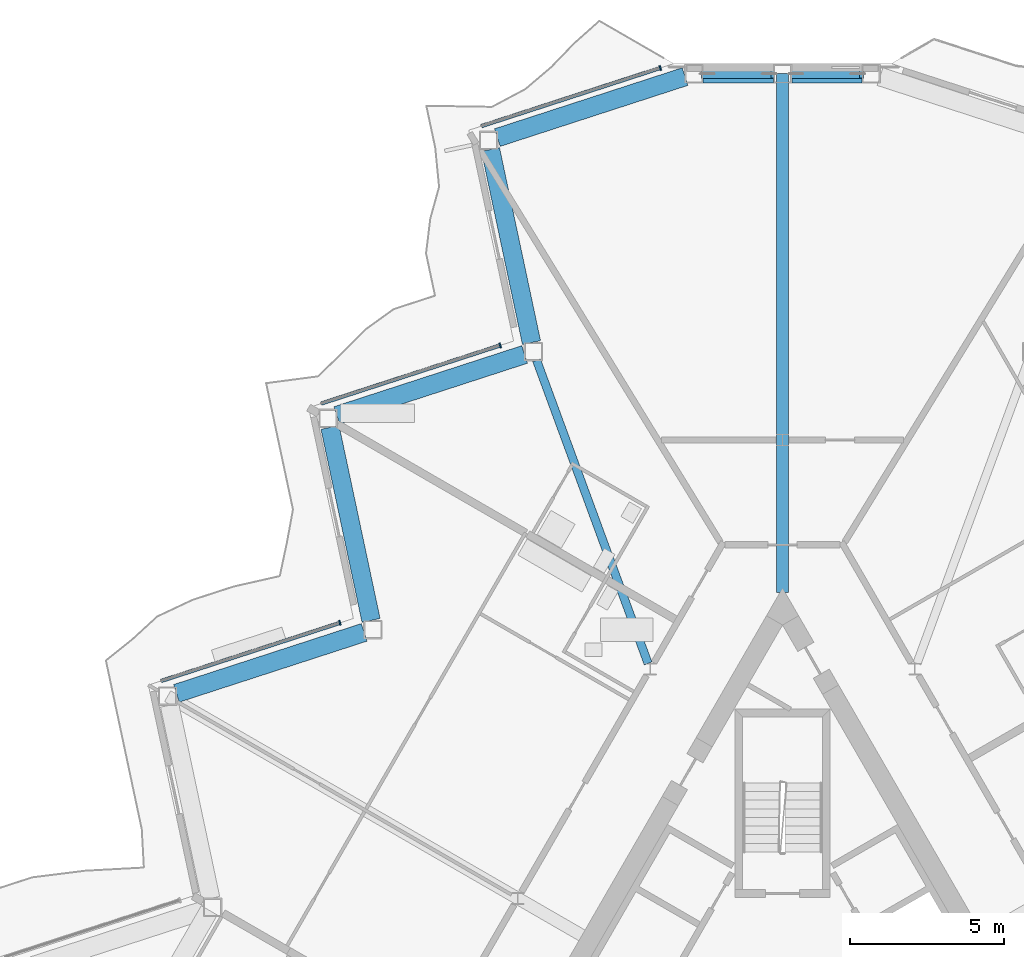
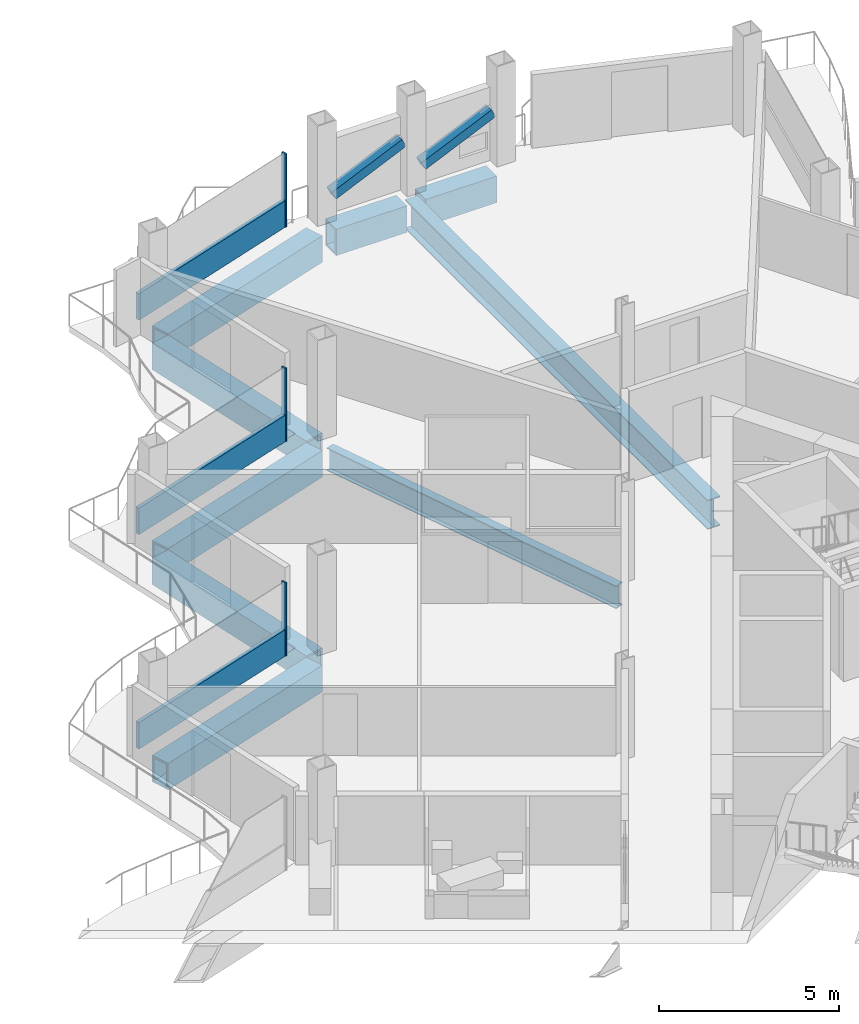
# One storey, part 10 of 28: 9 members, 8 beams, 3 elements without a shape of their own.
"""IFC4 building model written with IfcOpenShell, lengths in metres."""

from ifc_helpers import new_model, si_unit, direction, frame, origin, origin_2d, place, context, subcontext, project, spatial, rectangle, hollow_rectangle, i_section, extrude, material, layer, layer_set, material_profile, profile_set, type_object, element, aggregate, save


model = new_model("IFC4")

# Units and contexts
model_context = context("Model", 3, precision=1e-05, world=origin(), true_north=direction((0.0, 1.0)))
body_context = subcontext(model_context, "Body", "Model", "MODEL_VIEW")
ifc_project = project(units=[si_unit("LENGTHUNIT", "METRE"), si_unit("AREAUNIT", "SQUARE_METRE"), si_unit("VOLUMEUNIT", "CUBIC_METRE"), si_unit("PLANEANGLEUNIT", "RADIAN"), si_unit("MASSUNIT", "GRAM", prefix="KILO")], contexts=[model_context])

# Site, building, storey
site_placement = place(None, origin())
site = spatial("IfcSite", under=ifc_project, at=site_placement, CompositionType="ELEMENT")
building_placement = place(site_placement, origin())
building = spatial("IfcBuilding", under=site, at=building_placement, Name="Cormorant Prow Tower", CompositionType="ELEMENT")
storey_placement = place(building_placement, frame((0.0, 0.0, 301.800048828125)))
storey = spatial("IfcBuildingStorey", under=building, at=storey_placement, Name="L65", CompositionType="ELEMENT", Elevation=301.800048828125)

# Beams
ifc_material_1 = material(Name="Structural steel ASTM A572 Gr 50", Category="steel")
ifc_material_profile_1 = material_profile(ifc_material_1, hollow_rectangle(XDim=0.60009765625, YDim=0.89990234375, WallThickness=0.06005859375, at=origin_2d()), Name="Box 900x600x60")
ifc_profile_set_1 = profile_set([ifc_material_profile_1], Name="Structural steel ASTM A572 Gr 50")
beam_type_1 = type_object("IfcBeamType", Name="Belt truss top chord 900x600x60", PredefinedType="BEAM", material=ifc_profile_set_1)
for number, where, z_axis, x_axis, name in (
    (1, (2.57373046875, 31.676025390625, -0.75), (-1.0, 0.0, 0.0), (0.0, -1.0, 0.0), "Belt truss top chord TC2 N00-N01 L65"),
    (2, (-0.300048828125, 31.676025390625, -0.75), (-1.0, 0.0, 0.0), (0.0, -1.0, 0.0), "Belt truss top chord TC2 N01-WNW00 L65"),
):
    element("IfcBeam", number, at=place(storey_placement, frame(where, z_axis=z_axis, x_axis=x_axis)), inside=storey, type_object=beam_type_1, Name=name, PredefinedType="BEAM", context=body_context, shape_type="SweptSolid", body=[
        extrude(hollow_rectangle(XDim=0.60009765625, YDim=0.89990234375, WallThickness=0.06005859375, at=origin_2d()), origin(), (0.0, 0.0, 1.0), 2.273681640625),
    ])
beam_1_placement = place(storey_placement, frame((-3.1591796875, 31.583251953125, -0.75), z_axis=(-0.951064359156, -0.308992855489, 0.0), x_axis=(0.308992855489, -0.951064359156, 0.0)))
element("IfcBeam", 3, at=beam_1_placement, inside=storey, type_object=beam_type_1, Name="Belt truss top chord TC2 WNW00-WNW01 L65", PredefinedType="BEAM", context=body_context, shape_type="SweptSolid", body=[
    extrude(hollow_rectangle(XDim=0.60009765625, YDim=0.89990234375, WallThickness=0.06005859375, at=origin_2d()), origin(), (0.0, 0.0, 1.0), 6.39599609375),
])
beam_2_placement = place(storey_placement, frame((-9.465087890625, 29.220703125, -0.75), z_axis=(0.20791262393, -0.978147402394, 0.0), x_axis=(0.978147402394, 0.20791262393, 0.0)))
element("IfcBeam", 4, at=beam_2_placement, inside=storey, type_object=beam_type_1, Name="Belt truss top chord TC2 WNW01-WNW02 L65", PredefinedType="BEAM", context=body_context, shape_type="SweptSolid", body=[
    extrude(hollow_rectangle(XDim=0.60009765625, YDim=0.89990234375, WallThickness=0.06005859375, at=origin_2d()), origin(), (0.0, 0.0, 1.0), 6.396240234375),
])
for number, where, z_axis, x_axis, name in (
    (5, (-8.358154296875, 22.578369140625, -0.75), (-0.95105314132, -0.309027381286, 0.0), (0.309027381286, -0.95105314132, 0.0), "Belt truss top chord TC2 WNW02-WNW03 L65"),
    (6, (-14.6640625, 20.215576171875, -0.75), (0.207920386839, -0.978145752297, 0.0), (0.978145752297, 0.207920386839, 0.0), "Belt truss top chord TC2 WNW03-WNW04 L65"),
    (7, (-13.557373046875, 13.5732421875, -0.75), (-0.95105314132, -0.309027381286, 0.0), (0.309027381286, -0.95105314132, 0.0), "Belt truss top chord TC2 WNW04-WNW05 L65"),
):
    element("IfcBeam", number, at=place(storey_placement, frame(where, z_axis=z_axis, x_axis=x_axis)), inside=storey, type_object=beam_type_1, Name=name, PredefinedType="BEAM", context=body_context, shape_type="SweptSolid", body=[
        extrude(hollow_rectangle(XDim=0.60009765625, YDim=0.89990234375, WallThickness=0.06005859375, at=origin_2d()), origin(), (0.0, 0.0, 1.0), 6.39599609375),
    ])

# Members
ifc_material_2 = material(Name="Structural steel ASTM A500 Gr C", Category="steel")
ifc_material_profile_2 = material_profile(ifc_material_2, hollow_rectangle(XDim=0.3046875, YDim=0.3046875, WallThickness=0.01171875, at=origin_2d()), Name="HSS12x12x1/2")
ifc_profile_set_2 = profile_set([ifc_material_profile_2], Name="Structural steel ASTM A500 Gr C")
member_type_1 = type_object("IfcMemberType", Name="Chamfer brace HSS12x12x1/2", PredefinedType="BRACE", material=ifc_profile_set_2)
for number, where, z_axis, x_axis, name in (
    (8, (0.31494140625, 31.676025390625, 0.740966796875), (0.912529767993, 0.0, 0.409010296359), (0.0, 1.0, 0.0), "Chamfer brace BR3 at N00 L65"),
    (9, (-2.55908203125, 31.676025390625, 0.740966796875), (0.912529767993, 0.0, 0.409010296359), (0.0, 1.0, 0.0), "Chamfer brace BR3 at N01 L65"),
):
    element("IfcMember", number, at=place(storey_placement, frame(where, z_axis=z_axis, x_axis=x_axis)), inside=storey, type_object=member_type_1, Name=name, PredefinedType="BRACE", context=body_context, shape_type="SweptSolid", body=[
        extrude(hollow_rectangle(XDim=0.3046875, YDim=0.3046875, WallThickness=0.01171875, at=origin_2d()), origin(), (0.0, 0.0, 1.0), 2.459228515625),
    ])
ifc_material_3 = material(Name="Structural steel ASTM A992 Gr 50", Category="steel")
ifc_material_profile_3 = material_profile(ifc_material_3, i_section(OverallWidth=0.39990234375, OverallDepth=1.000244140625, WebThickness=0.01904296875, FlangeThickness=0.0361328125, at=origin_2d()), Name="W40x249")
ifc_profile_set_3 = profile_set([ifc_material_profile_3], Name="Structural steel ASTM A992 Gr 50")
member_type_2 = type_object("IfcMemberType", Name="Outrigger chord W40x249", PredefinedType="CHORD", material=ifc_profile_set_3)
member_1_placement = place(storey_placement, frame((0.0, 14.861083984375, -0.80029296875), z_axis=(0.0, 1.0, 0.0), x_axis=(-1.0, 0.0, 0.0)))
element("IfcMember", 10, at=member_1_placement, inside=storey, type_object=member_type_2, Name="Outrigger top chord 1 L65", PredefinedType="CHORD", context=body_context, shape_type="SweptSolid", body=[
    extrude(i_section(OverallWidth=0.39990234375, OverallDepth=1.000244140625, WebThickness=0.01904296875, FlangeThickness=0.0361328125, at=origin_2d()), origin(), (0.0, 0.0, 1.0), 16.81494140625),
])

# Beam
ifc_material_4 = material(Name="Structural steel ASTM A992 Gr 50", Category="steel")
ifc_material_profile_4 = material_profile(ifc_material_4, i_section(OverallWidth=0.267822265625, OverallDepth=0.77001953125, WebThickness=0.015625, FlangeThickness=0.025390625, at=origin_2d()), Name="W30x132")
ifc_profile_set_4 = profile_set([ifc_material_profile_4], Name="Structural steel ASTM A992 Gr 50")
beam_type_2 = type_object("IfcBeamType", Name="Radial floor beam W30x132", PredefinedType="BEAM", material=ifc_profile_set_4)
beam_3_placement = place(storey_placement, frame((-4.357421875, 12.5673828125, -0.68505859375), z_axis=(-0.345131226703, 0.938554439739, 0.0), x_axis=(-0.938554439739, -0.345131226703, 0.0)))
element("IfcBeam", 11, at=beam_3_placement, inside=storey, type_object=beam_type_2, Name="Radial floor beam FB3 2 L65", PredefinedType="BEAM", context=body_context, shape_type="SweptSolid", body=[
    extrude(i_section(OverallWidth=0.267822265625, OverallDepth=0.77001953125, WebThickness=0.015625, FlangeThickness=0.025390625, at=origin_2d()), origin(), (0.0, 0.0, 1.0), 10.465087890625),
])

# Curtain wall, member
ifc_material_5 = material(Name="Aluminium 6063-T6", Category="aluminium")
ifc_layer = layer(ifc_material_5, 0.159912109375)
ifc_layer_set = layer_set([ifc_layer], Name="Aluminium 6063-T6")
curtain_wall_type = type_object("IfcCurtainWallType", Name="Residential unitised curtain wall 160", PredefinedType="NOTDEFINED", material=ifc_layer_set)
curtain_wall_1_placement = place(storey_placement, origin())
curtain_wall_1 = element("IfcCurtainWall", 12, at=curtain_wall_1_placement, inside=storey, type_object=curtain_wall_type, Name="Residential curtain wall WNW00", PredefinedType="NOTDEFINED")
ifc_material_6 = material(Name="Aluminium 6063-T6", Category="aluminium")
ifc_material_profile_5 = material_profile(ifc_material_6, rectangle(XDim=0.159912109375, YDim=0.050048828125, at=origin_2d()), Name="Residential mullion 50x160")
ifc_profile_set_5 = profile_set([ifc_material_profile_5], Name="Aluminium 6063-T6")
member_type_3 = type_object("IfcMemberType", Name="Residential mullion 50x160", PredefinedType="MULLION", material=ifc_profile_set_5)
member_2_placement = place(storey_placement, frame((-3.961181640625, 31.863037109375, 0.0), z_axis=(0.0, 0.0, 1.0), x_axis=(0.309016910334, -0.951056543602, 0.0)))
member_2 = element("IfcMember", 13, at=member_2_placement, type_object=member_type_3, Name="Residential mullion WNW00", PredefinedType="MULLION", context=body_context, shape_type="SweptSolid", body=[
    extrude(rectangle(XDim=0.159912109375, YDim=0.050048828125, at=origin_2d()), origin(), (0.0, 0.0, 1.0), 2.48779296875),
])

curtain_wall_2_placement = place(storey_placement, origin())
curtain_wall_2 = element("IfcCurtainWall", 14, at=curtain_wall_2_placement, inside=storey, type_object=curtain_wall_type, Name="Residential curtain wall WNW02", PredefinedType="NOTDEFINED")
member_3_placement = place(storey_placement, frame((-9.152099609375, 22.8720703125, 0.0), z_axis=(0.0, 0.0, 1.0), x_axis=(0.309016910334, -0.951056543602, 0.0)))
member_3 = element("IfcMember", 15, at=member_3_placement, type_object=member_type_3, Name="Residential mullion WNW02", PredefinedType="MULLION", context=body_context, shape_type="SweptSolid", body=[
    extrude(rectangle(XDim=0.159912109375, YDim=0.050048828125, at=origin_2d()), origin(), (0.0, 0.0, 1.0), 2.48779296875),
])

curtain_wall_3_placement = place(storey_placement, origin())
curtain_wall_3 = element("IfcCurtainWall", 16, at=curtain_wall_3_placement, inside=storey, type_object=curtain_wall_type, Name="Residential curtain wall WNW04", PredefinedType="NOTDEFINED")
member_4_placement = place(storey_placement, frame((-14.34326171875, 13.881103515625, 0.0), z_axis=(0.0, 0.0, 1.0), x_axis=(0.309017039823, -0.951056501528, 0.0)))
member_4 = element("IfcMember", 17, at=member_4_placement, type_object=member_type_3, Name="Residential mullion WNW04", PredefinedType="MULLION", context=body_context, shape_type="SweptSolid", body=[
    extrude(rectangle(XDim=0.159912109375, YDim=0.050048828125, at=origin_2d()), origin(), (0.0, 0.0, 1.0), 2.48779296875),
])

# Member
ifc_material_7 = material(Name="Terracotta", Category="masonry")
ifc_material_profile_6 = material_profile(ifc_material_7, rectangle(XDim=0.1201171875, YDim=0.89990234375, at=origin_2d()), Name="Residential terracotta spandrel rail 120x900")
ifc_profile_set_6 = profile_set([ifc_material_profile_6], Name="Terracotta")
member_type_4 = type_object("IfcMemberType", Name="Residential terracotta spandrel rail 120x900", PredefinedType="USERDEFINED", material=ifc_profile_set_6)
member_5_placement = place(storey_placement, frame((-3.985107421875, 31.85546875, 0.449951171875), z_axis=(-0.951046488184, -0.309047856023, 0.0), x_axis=(0.309047856023, -0.951046488184, 0.0)))
member_5 = element("IfcMember", 18, at=member_5_placement, type_object=member_type_4, Name="Residential spandrel rail WNW00", ObjectType="TRANSOM", PredefinedType="USERDEFINED", context=body_context, shape_type="SweptSolid", body=[
    extrude(rectangle(XDim=0.1201171875, YDim=0.89990234375, at=origin_2d()), origin(), (0.0, 0.0, 1.0), 6.067138671875),
])

aggregate(curtain_wall_1, [member_2, member_5])

member_6_placement = place(storey_placement, frame((-9.176025390625, 22.8642578125, 0.449951171875), z_axis=(-0.951058315109, -0.309011458142, 0.0), x_axis=(0.309011458142, -0.951058315109, 0.0)))
member_6 = element("IfcMember", 19, at=member_6_placement, type_object=member_type_4, Name="Residential spandrel rail WNW02", ObjectType="TRANSOM", PredefinedType="USERDEFINED", context=body_context, shape_type="SweptSolid", body=[
    extrude(rectangle(XDim=0.1201171875, YDim=0.89990234375, at=origin_2d()), origin(), (0.0, 0.0, 1.0), 6.06689453125),
])

aggregate(curtain_wall_2, [member_3, member_6])

member_7_placement = place(storey_placement, frame((-14.366943359375, 13.873291015625, 0.449951171875), z_axis=(-0.951058315109, -0.309011458142, 0.0), x_axis=(0.309011458142, -0.951058315109, 0.0)))
member_7 = element("IfcMember", 20, at=member_7_placement, type_object=member_type_4, Name="Residential spandrel rail WNW04", ObjectType="TRANSOM", PredefinedType="USERDEFINED", context=body_context, shape_type="SweptSolid", body=[
    extrude(rectangle(XDim=0.1201171875, YDim=0.89990234375, at=origin_2d()), origin(), (0.0, 0.0, 1.0), 6.06689453125),
])

aggregate(curtain_wall_3, [member_4, member_7])

save(model, "model.ifc")
